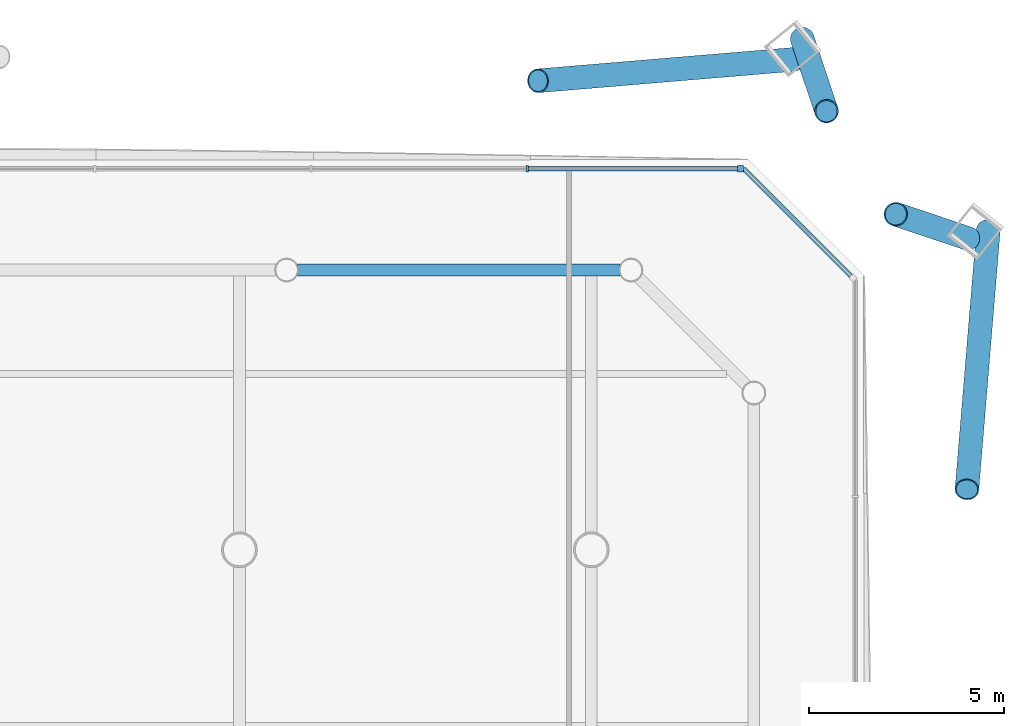
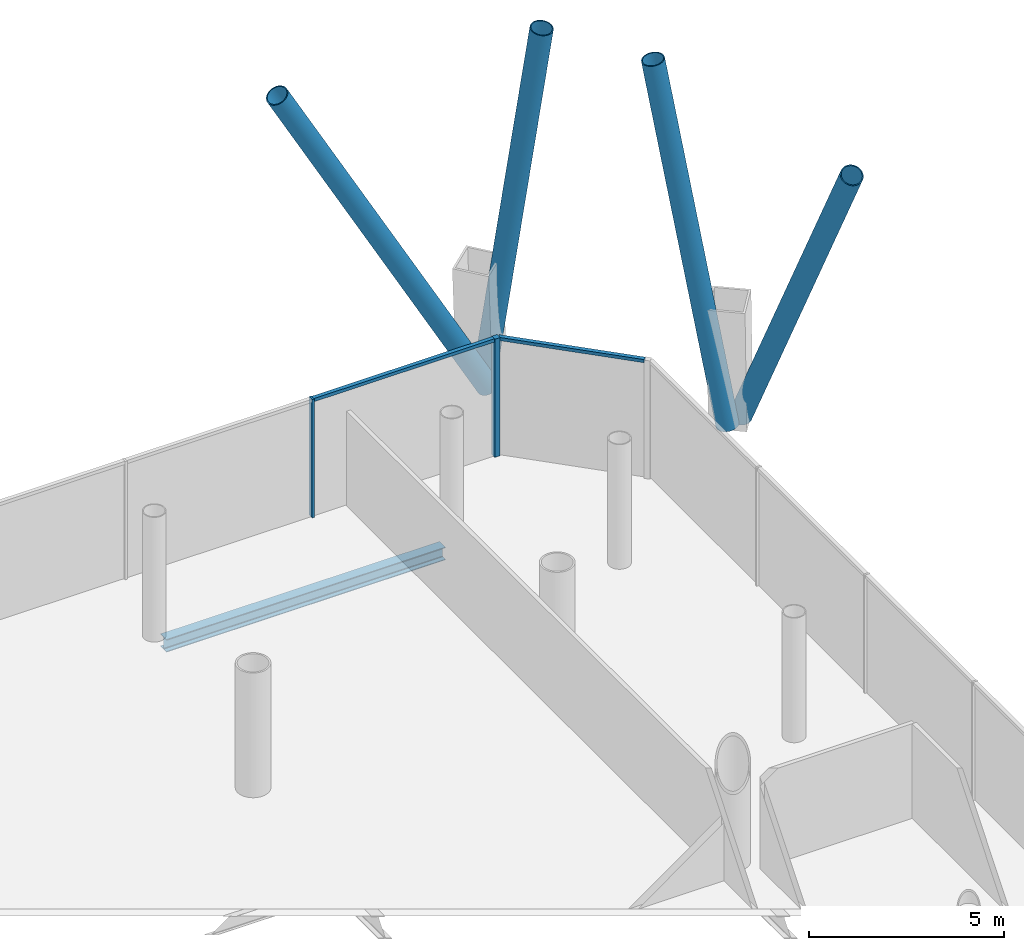
# One storey, part 15 of 25: 8 members, 1 beam, 2 elements without a shape of their own.
"""IFC4 building model written with IfcOpenShell, lengths in metres."""

from ifc_helpers import new_model, si_unit, direction, frame, origin, origin_2d, place, context, subcontext, project, spatial, rectangle, hollow_circle, i_section, extrude, material, material_profile, profile_set, type_object, element, aggregate, save


model = new_model("IFC4")

# Units and contexts
model_context = context("Model", 3, precision=1e-05, world=origin(), true_north=direction((0.0, 1.0)))
body_context = subcontext(model_context, "Body", "Model", "MODEL_VIEW")
ifc_project = project(units=[si_unit("LENGTHUNIT", "METRE"), si_unit("AREAUNIT", "SQUARE_METRE"), si_unit("VOLUMEUNIT", "CUBIC_METRE"), si_unit("PLANEANGLEUNIT", "RADIAN"), si_unit("MASSUNIT", "GRAM", prefix="KILO")], contexts=[model_context])

# Site, building, storey
site_placement = place(None, origin())
site = spatial("IfcSite", under=ifc_project, at=site_placement, CompositionType="ELEMENT")
building_placement = place(site_placement, origin())
building = spatial("IfcBuilding", under=site, at=building_placement, Name="Tskaro Facet Tower", CompositionType="ELEMENT")
storey_placement = place(building_placement, frame((0.0, 0.0, 10.800048828125)))
storey = spatial("IfcBuildingStorey", under=building, at=storey_placement, Name="L01", CompositionType="ELEMENT", Elevation=10.800048828125)

# Members
ifc_material_1 = material(Name="Steel S355J2H", Category="steel")
ifc_material_profile_1 = material_profile(ifc_material_1, hollow_circle(Radius=0.304931640625, WallThickness=0.030029296875, at=origin_2d()), Name="CHS 610x30")
ifc_profile_set_1 = profile_set([ifc_material_profile_1], Name="Steel S355J2H")
member_type_1 = type_object("IfcMemberType", Name="CHS 610x30 brace", PredefinedType="BRACE", material=ifc_profile_set_1)
member_1_placement = place(storey_placement, frame((28.155029296875, 26.180908203125, 0.0), z_axis=(-0.040697983048, -0.49287361289, 0.869148592528), x_axis=(0.996608196398, -0.082292787486, 0.0)))
element("IfcMember", 1, at=member_1_placement, inside=storey, type_object=member_type_1, Name="CHS 610x30 XB05B/1", PredefinedType="BRACE", context=body_context, shape_type="SweptSolid", body=[
    extrude(hollow_circle(Radius=0.304931640625, WallThickness=0.030029296875, at=origin_2d()), origin(), (0.0, 0.0, 1.0), 13.46142578125),
])
for number, where, z_axis, x_axis, name in (
    (2, (27.63427734375, 25.96533203125, 0.0), (-0.155693754903, 0.052220393468, 0.986424089928), (-0.317994550017, -0.948092540926, 0.0), "CHS 610x30 XB06A/1"),
    (3, (23.396728515625, 31.065673828125, 0.0), (0.052220393468, -0.155693754903, 0.986424089928), (0.948092540926, 0.317994550017, 0.0), "CHS 610x30 XB06B/1"),
):
    element("IfcMember", number, at=place(storey_placement, frame(where, z_axis=z_axis, x_axis=x_axis)), inside=storey, type_object=member_type_1, Name=name, PredefinedType="BRACE", context=body_context, shape_type="SweptSolid", body=[
        extrude(hollow_circle(Radius=0.304931640625, WallThickness=0.030029296875, at=origin_2d()), origin(), (0.0, 0.0, 1.0), 11.861083984375),
    ])
member_2_placement = place(storey_placement, frame((23.180908203125, 30.544921875, 0.0), z_axis=(-0.487810027403, -0.04081308111, 0.871995223367), x_axis=(0.083374631246, -0.996518274225, 0.0)))
element("IfcMember", 4, at=member_2_placement, inside=storey, type_object=member_type_1, Name="CHS 610x30 XB07A/1", PredefinedType="BRACE", context=body_context, shape_type="SweptSolid", body=[
    extrude(hollow_circle(Radius=0.304931640625, WallThickness=0.030029296875, at=origin_2d()), origin(), (0.0, 0.0, 1.0), 13.41748046875),
])

# Curtain wall, members
ifc_material_2 = material(Name="Bronze anodised aluminium 6063-T6", Category="aluminium")
curtain_wall_type = type_object("IfcCurtainWallType", Name="Bronze office curtain wall (FW1)", PredefinedType="NOTDEFINED", material=ifc_material_2)
curtain_wall_1_placement = place(storey_placement, origin())
curtain_wall_1 = element("IfcCurtainWall", 5, at=curtain_wall_1_placement, inside=storey, type_object=curtain_wall_type, Name="FW1 north facet L01", PredefinedType="NOTDEFINED")
ifc_material_profile_2 = material_profile(ifc_material_2, rectangle(XDim=0.159912109375, YDim=0.159912109375, at=origin_2d()), Name="Corner post 160x160")
ifc_profile_set_2 = profile_set([ifc_material_profile_2], Name="Bronze anodised aluminium 6063-T6")
member_type_2 = type_object("IfcMemberType", Name="FW1 bronze corner post 160x160", PredefinedType="MULLION", material=ifc_profile_set_2)
member_3_placement = place(storey_placement, frame((21.81591796875, 27.75, 0.0), z_axis=(0.0, 0.0, 1.0), x_axis=(-1.0, 0.0, 0.0)))
member_3 = element("IfcMember", 6, at=member_3_placement, type_object=member_type_2, Name="FW1 north corner post", PredefinedType="MULLION", context=body_context, shape_type="SweptSolid", body=[
    extrude(rectangle(XDim=0.159912109375, YDim=0.159912109375, at=origin_2d()), origin(), (0.0, 0.0, 1.0), 3.699951171875),
])
ifc_material_profile_3 = material_profile(ifc_material_2, rectangle(XDim=0.06005859375, YDim=0.159912109375, at=origin_2d()), Name="Mullion 60x160")
ifc_profile_set_3 = profile_set([ifc_material_profile_3], Name="Bronze anodised aluminium 6063-T6")
member_type_3 = type_object("IfcMemberType", Name="FW1 bronze mullion 60x160", PredefinedType="MULLION", material=ifc_profile_set_3)
member_4_placement = place(storey_placement, frame((16.363525390625, 27.75, 0.0), z_axis=(0.0, 0.0, 1.0), x_axis=(-1.0, 0.0, 0.0)))
member_4 = element("IfcMember", 7, at=member_4_placement, type_object=member_type_3, Name="FW1 north mullion 1", PredefinedType="MULLION", context=body_context, shape_type="SweptSolid", body=[
    extrude(rectangle(XDim=0.06005859375, YDim=0.159912109375, at=origin_2d()), origin(), (0.0, 0.0, 1.0), 3.699951171875),
])

# Curtain wall, member
curtain_wall_2_placement = place(storey_placement, origin())
curtain_wall_2 = element("IfcCurtainWall", 8, at=curtain_wall_2_placement, inside=storey, type_object=curtain_wall_type, Name="FW1 north-east facet L01", PredefinedType="NOTDEFINED")
ifc_material_profile_4 = material_profile(ifc_material_2, rectangle(XDim=0.1201171875, YDim=0.10009765625, at=origin_2d()), Name="Transom 120x100")
ifc_profile_set_4 = profile_set([ifc_material_profile_4], Name="Bronze anodised aluminium 6063-T6")
member_type_4 = type_object("IfcMemberType", Name="FW1 bronze transom 120x100", PredefinedType="USERDEFINED", material=ifc_profile_set_4)
member_5_placement = place(storey_placement, frame((24.636962890625, 25.009033203125, 3.64990234375), z_axis=(-0.707106781187, 0.707106781187, 0.0), x_axis=(-0.707106781187, -0.707106781187, 0.0)))
member_5 = element("IfcMember", 9, at=member_5_placement, type_object=member_type_4, Name="FW1 north-east transom 1.1", ObjectType="TRANSOM", PredefinedType="USERDEFINED", context=body_context, shape_type="SweptSolid", body=[
    extrude(rectangle(XDim=0.1201171875, YDim=0.10009765625, at=origin_2d()), origin(), (0.0, 0.0, 1.0), 3.876220703125),
])
aggregate(curtain_wall_2, [member_5])

# Member
member_6_placement = place(storey_placement, frame((21.736083984375, 27.75, 3.64990234375), z_axis=(-1.0, 0.0, 0.0), x_axis=(0.0, -1.0, 0.0)))
member_6 = element("IfcMember", 10, at=member_6_placement, type_object=member_type_4, Name="FW1 north transom 1.1", ObjectType="TRANSOM", PredefinedType="USERDEFINED", context=body_context, shape_type="SweptSolid", body=[
    extrude(rectangle(XDim=0.1201171875, YDim=0.10009765625, at=origin_2d()), origin(), (0.0, 0.0, 1.0), 5.342529296875),
])

aggregate(curtain_wall_1, [member_3, member_4, member_6])

# Beam
ifc_material_3 = material(Name="Steel S355J2", Category="steel")
ifc_material_profile_5 = material_profile(ifc_material_3, i_section(OverallWidth=0.300048828125, OverallDepth=0.39990234375, WebThickness=0.013427734375, FlangeThickness=0.02392578125, FilletRadius=0.027099609375, at=origin_2d()), Name="HE 400 B")
ifc_profile_set_5 = profile_set([ifc_material_profile_5], Name="Steel S355J2")
beam_type = type_object("IfcBeamType", Name="HE 400 B ring beam", PredefinedType="BEAM", material=ifc_profile_set_5)
beam_placement = place(storey_placement, frame((18.737060546875, 25.156982421875, -0.340087890625), z_axis=(-1.0, 0.0, 0.0), x_axis=(0.0, -1.0, 0.0)))
element("IfcBeam", 11, at=beam_placement, inside=storey, type_object=beam_type, Name="HE 400 B EB14-1", PredefinedType="BEAM", context=body_context, shape_type="SweptSolid", body=[
    extrude(i_section(OverallWidth=0.300048828125, OverallDepth=0.39990234375, WebThickness=0.013427734375, FlangeThickness=0.02392578125, FilletRadius=0.027099609375, at=origin_2d()), origin(), (0.0, 0.0, 1.0), 8.255126953125),
])

save(model, "model.ifc")
